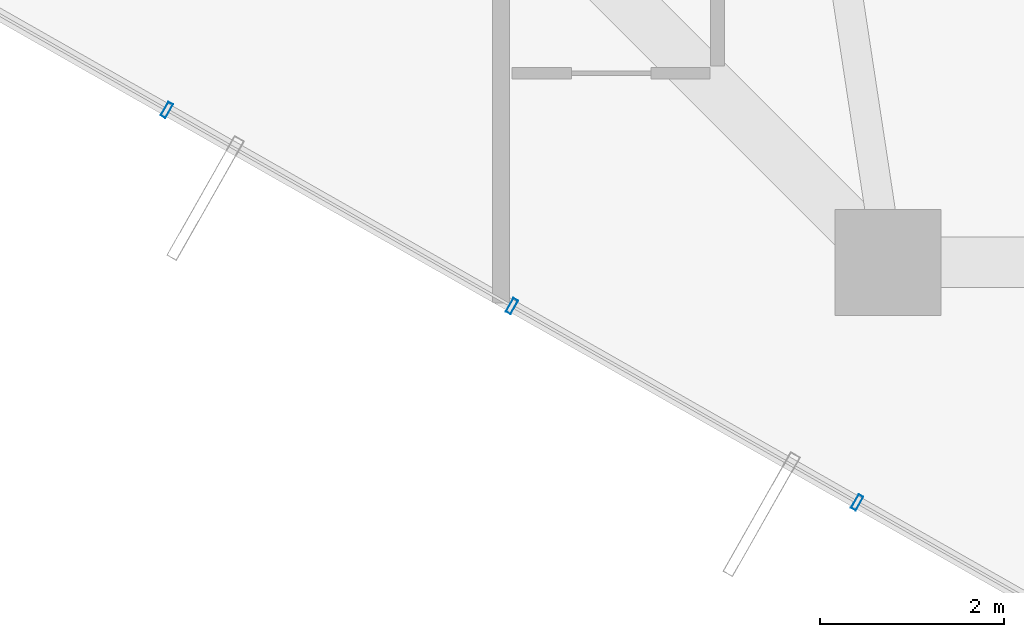
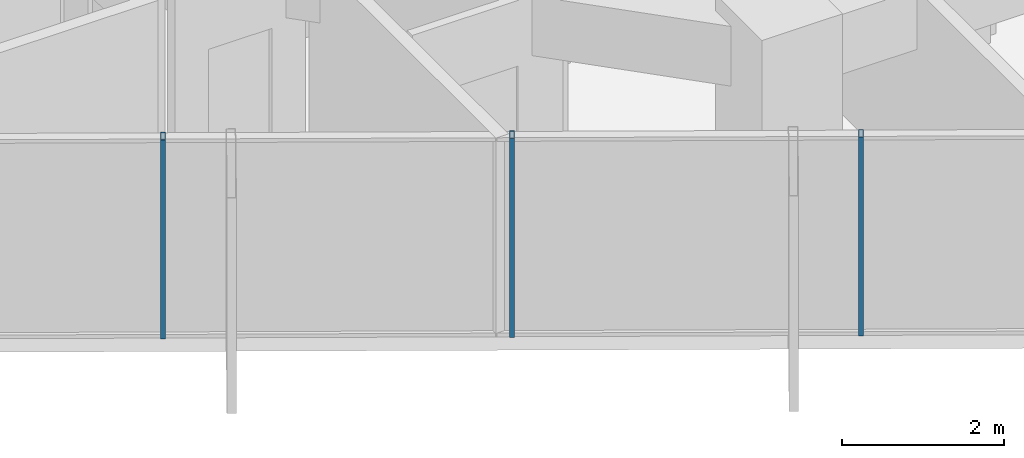
# One storey, part 2 of 30: 3 members, 1 element without a shape of its own.
"""IFC4 building model written with IfcOpenShell, lengths in metres."""

from ifc_helpers import new_model, si_unit, direction, frame, origin, origin_2d, place, context, subcontext, project, spatial, hollow_rectangle, extrude, source, transform, mapped, material, layer, layer_set, material_profile, profile_set, type_object, element, aggregate, save


model = new_model("IFC4")

# Units and contexts
model_context = context("Model", 3, precision=1e-05, world=origin(), true_north=direction((0.0, 1.0)))
body_context = subcontext(model_context, "Body", "Model", "MODEL_VIEW")
ifc_project = project(units=[si_unit("LENGTHUNIT", "METRE"), si_unit("AREAUNIT", "SQUARE_METRE"), si_unit("VOLUMEUNIT", "CUBIC_METRE"), si_unit("PLANEANGLEUNIT", "RADIAN"), si_unit("MASSUNIT", "GRAM", prefix="KILO")], contexts=[model_context])

# Site, building, storey
site_placement = place(None, origin())
site = spatial("IfcSite", under=ifc_project, at=site_placement, CompositionType="ELEMENT")
building_placement = place(site_placement, origin())
building = spatial("IfcBuilding", under=site, at=building_placement, Name="Veraguas Prism Commons", CompositionType="ELEMENT")
storey_placement = place(building_placement, frame((0.0, 0.0, 129.5)))
storey = spatial("IfcBuildingStorey", under=building, at=storey_placement, Name="L36", CompositionType="ELEMENT", Elevation=129.5)

# Curtain wall, members
ifc_material = material(Name="Anodised aluminium EN AW-6063 T6", Category="aluminium")
ifc_layer = layer(ifc_material, 0.169921875, Name="Unitised Flush Curtain Wall Zone 2", Category="aluminium")
ifc_layer_set = layer_set([ifc_layer], Name="Anodised aluminium EN AW-6063 T6")
curtain_wall_type = type_object("IfcCurtainWallType", Name="Unitised Flush Curtain Wall Zone 2", PredefinedType="NOTDEFINED", material=ifc_layer_set)
curtain_wall_placement = place(storey_placement, origin())
curtain_wall = element("IfcCurtainWall", 1, at=curtain_wall_placement, inside=storey, type_object=curtain_wall_type, Name="Tower Facade Curtain Wall L36-F4", PredefinedType="NOTDEFINED")
ifc_material_profile = material_profile(ifc_material, hollow_rectangle(XDim=0.06005859375, YDim=0.169921875, WallThickness=0.00390625, at=origin_2d()), Name="AL60X170X4")
ifc_profile_set = profile_set([ifc_material_profile], Name="Anodised aluminium EN AW-6063 T6")
member_type = type_object("IfcMemberType", Name="Curtain Wall Mullion Lower AL 60x170x4", PredefinedType="MULLION", material=ifc_profile_set)
shared_shape = source(origin(), body_context, "Body", "SweptSolid", [
    extrude(hollow_rectangle(XDim=0.06005859375, YDim=0.169921875, WallThickness=0.00390625, at=origin_2d()), origin(), (0.0, 0.0, 1.0), 3.0),
])
member_1_placement = place(storey_placement, frame((10.773681640625, 9.45361328125, 0.0), z_axis=(0.0, 0.0, 1.0), x_axis=(0.869323320918, -0.494243830218, 0.0)))
member_1 = element("IfcMember", 2, at=member_1_placement, type_object=member_type, Name="CW-Z2 Mullion 2", PredefinedType="MULLION", context=body_context, shape_type="MappedRepresentation", body=[
    mapped(shared_shape, transform((0.0, 0.0, 0.0), scale=1.0)),
])
member_2_placement = place(storey_placement, frame((14.51904296875, 7.32421875, 0.0), z_axis=(0.0, 0.0, 1.0), x_axis=(0.869323320918, -0.494243830218, 0.0)))
member_2 = element("IfcMember", 3, at=member_2_placement, type_object=member_type, Name="CW-Z2 Mullion 3", PredefinedType="MULLION", context=body_context, shape_type="MappedRepresentation", body=[
    mapped(shared_shape, transform((0.0, 0.0, 0.0), scale=1.0)),
])
member_3_placement = place(storey_placement, frame((18.2646484375, 5.19482421875, 0.0), z_axis=(0.0, 0.0, 1.0), x_axis=(0.869323320918, -0.494243830218, 0.0)))
member_3 = element("IfcMember", 4, at=member_3_placement, type_object=member_type, Name="CW-Z2 Mullion 4", PredefinedType="MULLION", context=body_context, shape_type="MappedRepresentation", body=[
    mapped(shared_shape, transform((0.0, 0.0, 0.0), scale=1.0)),
])
aggregate(curtain_wall, [member_1, member_2, member_3])

save(model, "model.ifc")
